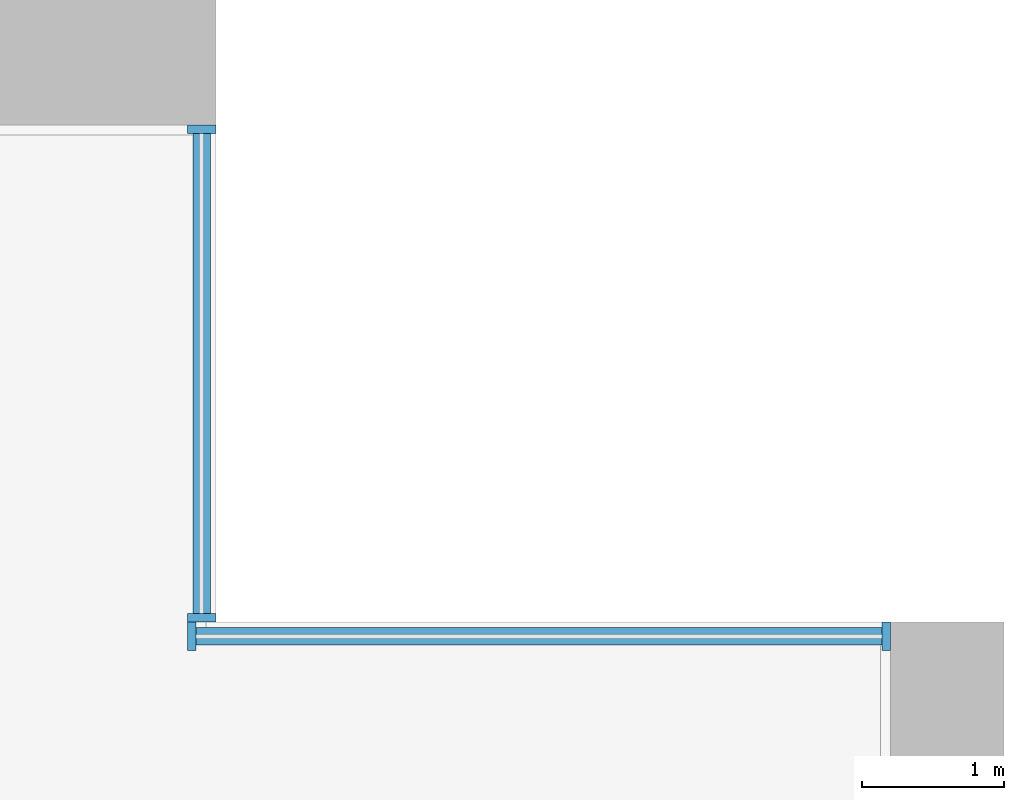
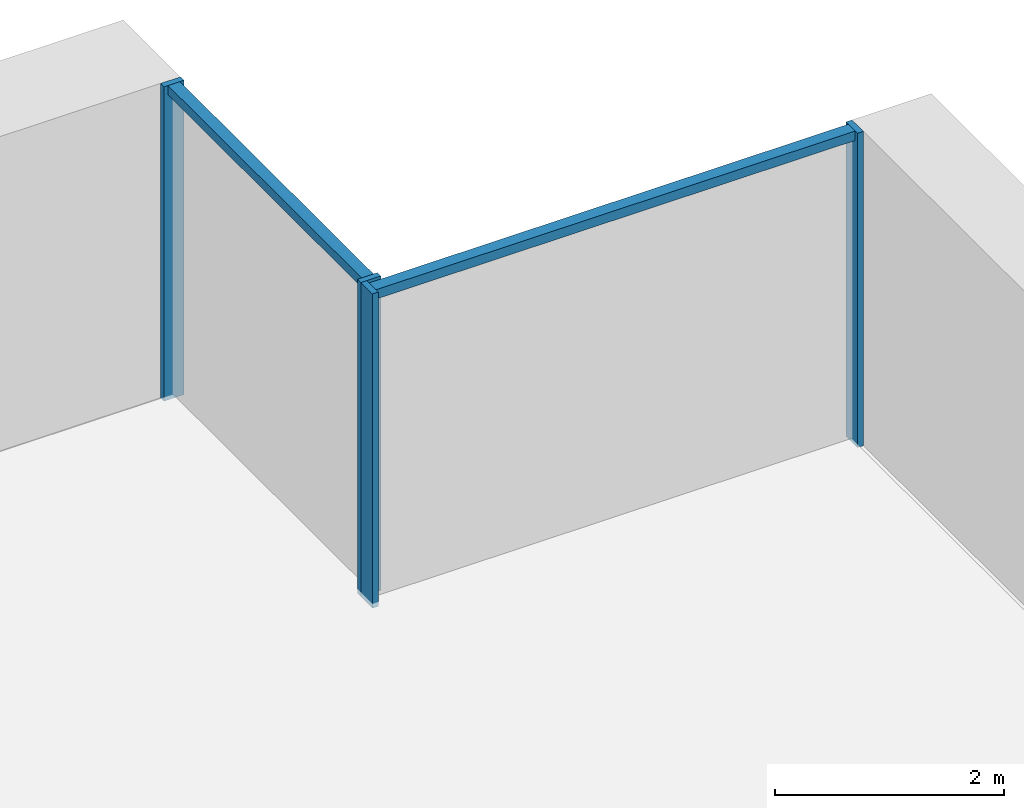
# One storey, part 6 of 17: 6 members, 2 elements without a shape of their own.
"""IFC4 building model written with IfcOpenShell, lengths in metres."""

from ifc_helpers import new_model, si_unit, direction, frame, origin, origin_2d, place, context, subcontext, project, spatial, rectangle, extrude, material, material_profile, profile_set, type_object, element, aggregate, save


model = new_model("IFC4")

# Units and contexts
model_context = context("Model", 3, precision=1e-05, world=origin(), true_north=direction((0.0, 1.0)))
body_context = subcontext(model_context, "Body", "Model", "MODEL_VIEW")
ifc_project = project(units=[si_unit("LENGTHUNIT", "METRE"), si_unit("AREAUNIT", "SQUARE_METRE"), si_unit("VOLUMEUNIT", "CUBIC_METRE"), si_unit("PLANEANGLEUNIT", "RADIAN"), si_unit("MASSUNIT", "GRAM", prefix="KILO")], contexts=[model_context])

# Site, building, storey
site_placement = place(None, origin())
site = spatial("IfcSite", under=ifc_project, at=site_placement, CompositionType="ELEMENT")
building_placement = place(site_placement, origin())
building = spatial("IfcBuilding", under=site, at=building_placement, Name="Calvaro Tower", CompositionType="ELEMENT")
storey_placement = place(building_placement, frame((0.0, 0.0, 67.5)))
storey = spatial("IfcBuildingStorey", under=building, at=storey_placement, Name="L16", CompositionType="ELEMENT", Elevation=67.5)

# Curtain wall, members
ifc_material_1 = material(Name="Anodised aluminium", Category="aluminium")
curtain_wall_type = type_object("IfcCurtainWallType", Name="Office curtain wall, lower zone", PredefinedType="NOTDEFINED", material=ifc_material_1)
curtain_wall_1_placement = place(storey_placement, origin())
curtain_wall_1 = element("IfcCurtainWall", 1, at=curtain_wall_1_placement, inside=storey, type_object=curtain_wall_type, Name="CW1 corner curtain wall", PredefinedType="NOTDEFINED")
ifc_material_2 = material(Name="Anodised aluminium", Category="aluminium")
ifc_material_profile_1 = material_profile(ifc_material_2, rectangle(XDim=0.199951171875, YDim=0.06005859375, at=origin_2d()), Name="Mullion S1 60 x 200")
ifc_profile_set_1 = profile_set([ifc_material_profile_1], Name="Anodised aluminium")
member_type_1 = type_object("IfcMemberType", Name="Mullion S1 60 x 200", PredefinedType="MULLION", material=ifc_profile_set_1)
member_1_placement = place(storey_placement, frame((72.35009765625, 41.530029296875, 0.0), z_axis=(0.0, 0.0, 1.0), x_axis=(-1.0, 0.0, 0.0)))
member_1 = element("IfcMember", 2, at=member_1_placement, type_object=member_type_1, Name="CW1 mullion 1", PredefinedType="MULLION", context=body_context, shape_type="SweptSolid", body=[
    extrude(rectangle(XDim=0.199951171875, YDim=0.06005859375, at=origin_2d()), origin(), (0.0, 0.0, 1.0), 3.35009765625),
])
member_2_placement = place(storey_placement, frame((72.35009765625, 44.969970703125, 0.0), z_axis=(0.0, 0.0, 1.0), x_axis=(-1.0, 0.0, 0.0)))
member_2 = element("IfcMember", 3, at=member_2_placement, type_object=member_type_1, Name="CW1 mullion 2", PredefinedType="MULLION", context=body_context, shape_type="SweptSolid", body=[
    extrude(rectangle(XDim=0.199951171875, YDim=0.06005859375, at=origin_2d()), origin(), (0.0, 0.0, 1.0), 3.35009765625),
])

curtain_wall_2_placement = place(storey_placement, origin())
curtain_wall_2 = element("IfcCurtainWall", 4, at=curtain_wall_2_placement, inside=storey, type_object=curtain_wall_type, Name="CW1 corner curtain wall", PredefinedType="NOTDEFINED")
member_3_placement = place(storey_placement, frame((72.280029296875, 41.39990234375, 0.0), z_axis=(0.0, 0.0, 1.0), x_axis=(0.0, 1.0, 0.0)))
member_3 = element("IfcMember", 5, at=member_3_placement, type_object=member_type_1, Name="CW1 mullion 1", PredefinedType="MULLION", context=body_context, shape_type="SweptSolid", body=[
    extrude(rectangle(XDim=0.199951171875, YDim=0.06005859375, at=origin_2d()), origin(), (0.0, 0.0, 1.0), 3.35009765625),
])
member_4_placement = place(storey_placement, frame((77.169921875, 41.39990234375, 0.0), z_axis=(0.0, 0.0, 1.0), x_axis=(0.0, 1.0, 0.0)))
member_4 = element("IfcMember", 6, at=member_4_placement, type_object=member_type_1, Name="CW1 mullion 2", PredefinedType="MULLION", context=body_context, shape_type="SweptSolid", body=[
    extrude(rectangle(XDim=0.199951171875, YDim=0.06005859375, at=origin_2d()), origin(), (0.0, 0.0, 1.0), 3.35009765625),
])

# Member
ifc_material_3 = material(Name="Anodised aluminium", Category="aluminium")
ifc_material_profile_2 = material_profile(ifc_material_3, rectangle(XDim=0.1201171875, YDim=0.10009765625, at=origin_2d()), Name="Transom S1 100 x 120")
ifc_profile_set_2 = profile_set([ifc_material_profile_2], Name="Anodised aluminium")
member_type_2 = type_object("IfcMemberType", Name="Transom S1 100 x 120", PredefinedType="USERDEFINED", material=ifc_profile_set_2)
member_5_placement = place(storey_placement, frame((72.35009765625, 41.56005859375, 3.300048828125), z_axis=(0.0, 1.0, 0.0), x_axis=(-1.0, 0.0, 0.0)))
member_5 = element("IfcMember", 7, at=member_5_placement, type_object=member_type_2, Name="CW1 transom 1.1", ObjectType="TRANSOM", PredefinedType="USERDEFINED", context=body_context, shape_type="SweptSolid", body=[
    extrude(rectangle(XDim=0.1201171875, YDim=0.10009765625, at=origin_2d()), origin(), (0.0, 0.0, 1.0), 3.3798828125),
])

aggregate(curtain_wall_1, [member_1, member_2, member_5])

member_6_placement = place(storey_placement, frame((72.31005859375, 41.39990234375, 3.300048828125), z_axis=(1.0, 0.0, 0.0), x_axis=(0.0, 1.0, 0.0)))
member_6 = element("IfcMember", 8, at=member_6_placement, type_object=member_type_2, Name="CW1 transom 1.1", ObjectType="TRANSOM", PredefinedType="USERDEFINED", context=body_context, shape_type="SweptSolid", body=[
    extrude(rectangle(XDim=0.1201171875, YDim=0.10009765625, at=origin_2d()), origin(), (0.0, 0.0, 1.0), 4.829833984375),
])

aggregate(curtain_wall_2, [member_3, member_4, member_6])

save(model, "model.ifc")
